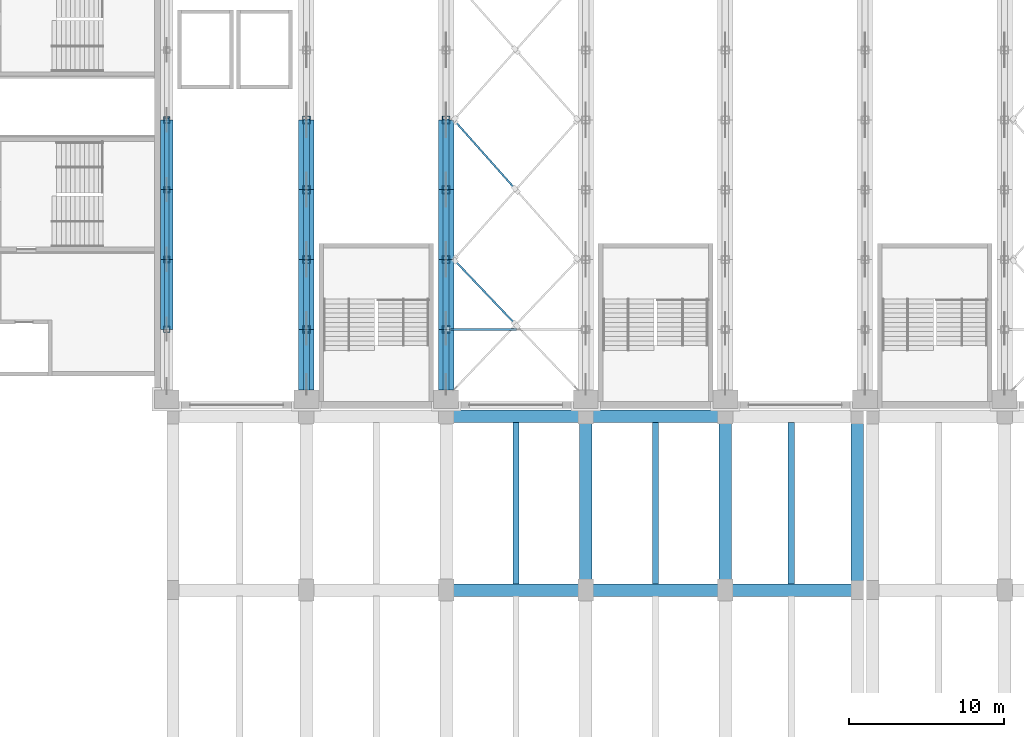
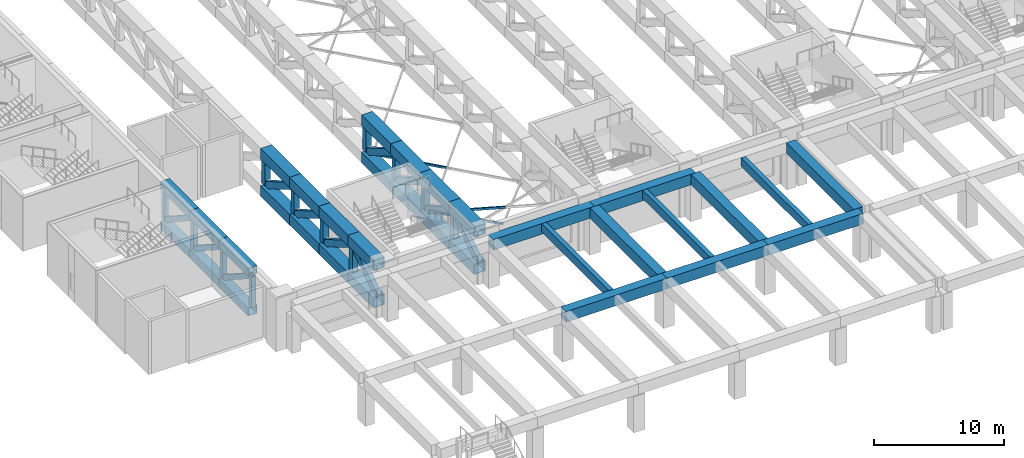
# One storey, part 8 of 76: 48 members, 11 beams.
"""IFC4 building model written with IfcOpenShell, lengths in metres."""

from ifc_helpers import new_model, si_unit, direction, frame, origin, origin_2d, place, context, subcontext, project, spatial, rectangle, hollow_rectangle, extrude, material, material_profile, profile_set, type_object, element, save


model = new_model("IFC4")

# Units and contexts
model_context = context("Model", 3, precision=1e-05, world=origin(), true_north=direction((0.0, 1.0)))
body_context = subcontext(model_context, "Body", "Model", "MODEL_VIEW")
ifc_project = project(units=[si_unit("LENGTHUNIT", "METRE"), si_unit("AREAUNIT", "SQUARE_METRE"), si_unit("VOLUMEUNIT", "CUBIC_METRE"), si_unit("PLANEANGLEUNIT", "RADIAN"), si_unit("MASSUNIT", "GRAM", prefix="KILO")], contexts=[model_context])

# Site, building, storey
site_placement = place(None, origin())
site = spatial("IfcSite", under=ifc_project, at=site_placement, CompositionType="ELEMENT")
building_placement = place(site_placement, origin())
building = spatial("IfcBuilding", under=site, at=building_placement, Name="Aravalli Gate Trade Fair Centre", CompositionType="ELEMENT")
storey_placement = place(building_placement, frame((0.0, 0.0, 10.0)))
storey = spatial("IfcBuildingStorey", under=building, at=storey_placement, Name="L02", CompositionType="ELEMENT", Elevation=10.0)

# Members
ifc_material_1 = material(Name="Steel E350", Category="steel")
ifc_material_profile_1 = material_profile(ifc_material_1, hollow_rectangle(XDim=0.1201171875, YDim=0.199951171875, WallThickness=0.008056640625, at=origin_2d()), Name="RHS 200x120x8")
ifc_profile_set_1 = profile_set([ifc_material_profile_1], Name="Steel E350")
member_type_1 = type_object("IfcMemberType", Name="Cross frame brace RHS 200x120x8", PredefinedType="BRACE", material=ifc_profile_set_1)
member_1_placement = place(storey_placement, frame((24.5, 55.0, 0.5), z_axis=(0.689659376744, -0.724133926887, 0.0), x_axis=(0.724133926887, 0.689659376744, 0.0)))
element("IfcMember", 1, at=member_1_placement, inside=storey, type_object=member_type_1, Name="FT plan brace bay 3 cell 1B half 1", PredefinedType="BRACE", context=body_context, shape_type="SweptSolid", body=[
    extrude(hollow_rectangle(XDim=0.1201171875, YDim=0.199951171875, WallThickness=0.008056640625, at=origin_2d()), origin(), (0.0, 0.0, 1.0), 5.800048828125),
])
member_2_placement = place(storey_placement, frame((24.5, 64.0, 0.5), z_axis=(0.66436383883, -0.747409318684, 0.0), x_axis=(0.747409318684, 0.66436383883, 0.0)))
element("IfcMember", 2, at=member_2_placement, inside=storey, type_object=member_type_1, Name="FT plan brace bay 3 cell 2B half 1", PredefinedType="BRACE", context=body_context, shape_type="SweptSolid", body=[
    extrude(hollow_rectangle(XDim=0.1201171875, YDim=0.199951171875, WallThickness=0.008056640625, at=origin_2d()), origin(), (0.0, 0.0, 1.0), 6.020751953125),
])
member_3_placement = place(storey_placement, frame((24.0, 50.5, 3.5), z_axis=(0.96351790963, 0.0, -0.267643863786), x_axis=(0.0, 1.0, 0.0)))
element("IfcMember", 3, at=member_3_placement, inside=storey, type_object=member_type_1, Name="FT vertical brace bay 3 frame 1B half 1", PredefinedType="BRACE", context=body_context, shape_type="SweptSolid", body=[
    extrude(hollow_rectangle(XDim=0.1201171875, YDim=0.199951171875, WallThickness=0.008056640625, at=origin_2d()), origin(), (0.0, 0.0, 1.0), 4.67041015625),
])

# Beams
ifc_material_2 = material(Name="Concrete M45", Category="concrete")
ifc_material_profile_2 = material_profile(ifc_material_2, rectangle(XDim=0.800048828125, YDim=1.0, at=origin_2d()), Name="Deck girder RC 800 x 1000")
ifc_profile_set_2 = profile_set([ifc_material_profile_2], Name="Concrete M45")
beam_type_1 = type_object("IfcBeamType", Name="Deck girder RC 800 x 1000", PredefinedType="BEAM", material=ifc_profile_set_2)
for number, where, z_axis, x_axis, name in (
    (4, (24.0, 33.699951171875, 3.89990234375), (1.0, 0.0, 0.0), (0.0, 1.0, 0.0), "Beam SB3-008"),
    (5, (33.0, 33.699951171875, 3.89990234375), (1.0, 0.0, 0.0), (0.0, 1.0, 0.0), "Beam SB3-009"),
):
    element("IfcBeam", number, at=place(storey_placement, frame(where, z_axis=z_axis, x_axis=x_axis)), inside=storey, type_object=beam_type_1, Name=name, PredefinedType="BEAM", context=body_context, shape_type="SweptSolid", body=[
        extrude(rectangle(XDim=0.800048828125, YDim=1.0, at=origin_2d()), origin(), (0.0, 0.0, 1.0), 9.0),
    ])
beam_placement = place(storey_placement, frame((42.0, 33.699951171875, 3.89990234375), z_axis=(1.0, 0.0, 0.0), x_axis=(0.0, 1.0, 0.0)))
element("IfcBeam", 6, at=beam_placement, inside=storey, type_object=beam_type_1, Name="Beam SB3-010", PredefinedType="BEAM", context=body_context, shape_type="SweptSolid", body=[
    extrude(rectangle(XDim=0.800048828125, YDim=1.0, at=origin_2d()), origin(), (0.0, 0.0, 1.0), 8.5),
])
for number, where, z_axis, x_axis, name in (
    (7, (24.0, 44.89990234375, 3.89990234375), (1.0, 0.0, 0.0), (0.0, 1.0, 0.0), "Beam SB3-013"),
    (8, (33.0, 44.89990234375, 3.89990234375), (1.0, 0.0, 0.0), (0.0, 1.0, 0.0), "Beam SB3-014"),
):
    element("IfcBeam", number, at=place(storey_placement, frame(where, z_axis=z_axis, x_axis=x_axis)), inside=storey, type_object=beam_type_1, Name=name, PredefinedType="BEAM", context=body_context, shape_type="SweptSolid", body=[
        extrude(rectangle(XDim=0.800048828125, YDim=1.0, at=origin_2d()), origin(), (0.0, 0.0, 1.0), 9.0),
    ])
for number, where, z_axis, x_axis, name in (
    (9, (33.0, 34.10009765625, 3.89990234375), (0.0, 1.0, 0.0), (-1.0, 0.0, 0.0), "Beam SB3-023"),
    (10, (42.0, 34.10009765625, 3.89990234375), (0.0, 1.0, 0.0), (-1.0, 0.0, 0.0), "Beam SB3-025"),
    (11, (50.5, 34.10009765625, 3.89990234375), (0.0, 1.0, 0.0), (-1.0, 0.0, 0.0), "Beam SB3-027"),
):
    element("IfcBeam", number, at=place(storey_placement, frame(where, z_axis=z_axis, x_axis=x_axis)), inside=storey, type_object=beam_type_1, Name=name, PredefinedType="BEAM", context=body_context, shape_type="SweptSolid", body=[
        extrude(rectangle(XDim=0.800048828125, YDim=1.0, at=origin_2d()), origin(), (0.0, 0.0, 1.0), 10.39990234375),
    ])
ifc_material_profile_3 = material_profile(ifc_material_2, rectangle(XDim=0.39990234375, YDim=0.800048828125, at=origin_2d()), Name="Deck secondary beam RC 400 x 800")
ifc_profile_set_3 = profile_set([ifc_material_profile_3], Name="Concrete M45")
beam_type_2 = type_object("IfcBeamType", Name="Deck secondary beam RC 400 x 800", PredefinedType="BEAM", material=ifc_profile_set_3)
for number, where, z_axis, x_axis, name in (
    (12, (28.5, 34.10009765625, 4.0), (0.0, 1.0, 0.0), (-1.0, 0.0, 0.0), "Beam SB4-006"),
    (13, (37.5, 34.10009765625, 4.0), (0.0, 1.0, 0.0), (-1.0, 0.0, 0.0), "Beam SB4-008"),
    (14, (46.25, 34.10009765625, 4.0), (0.0, 1.0, 0.0), (-1.0, 0.0, 0.0), "Beam SB4-010"),
):
    element("IfcBeam", number, at=place(storey_placement, frame(where, z_axis=z_axis, x_axis=x_axis)), inside=storey, type_object=beam_type_2, Name=name, PredefinedType="BEAM", context=body_context, shape_type="SweptSolid", body=[
        extrude(rectangle(XDim=0.39990234375, YDim=0.800048828125, at=origin_2d()), origin(), (0.0, 0.0, 1.0), 10.39990234375),
    ])

# Members
ifc_material_profile_4 = material_profile(ifc_material_1, hollow_rectangle(XDim=1.0, YDim=1.0, WallThickness=0.050048828125, at=origin_2d()), Name="BOX 1000x1000x50")
ifc_profile_set_4 = profile_set([ifc_material_profile_4], Name="Steel E350")
member_type_2 = type_object("IfcMemberType", Name="FT1 chord BOX 1000x1000x50", PredefinedType="CHORD", material=ifc_profile_set_4)
for number, where, z_axis, x_axis, name in (
    (15, (15.0, 46.60009765625, 0.5), (0.0, 1.0, 0.0), (-1.0, 0.0, 0.0), "FT1 line 2 bottom chord 1"),
    (16, (15.0, 46.60009765625, 4.0), (0.0, 1.0, 0.0), (-1.0, 0.0, 0.0), "FT1 line 2 top chord 1"),
):
    element("IfcMember", number, at=place(storey_placement, frame(where, z_axis=z_axis, x_axis=x_axis)), inside=storey, type_object=member_type_2, Name=name, PredefinedType="CHORD", context=body_context, shape_type="SweptSolid", body=[
        extrude(hollow_rectangle(XDim=1.0, YDim=1.0, WallThickness=0.050048828125, at=origin_2d()), origin(), (0.0, 0.0, 1.0), 3.89990234375),
    ])
for number, where, z_axis, x_axis, name in (
    (17, (15.0, 50.5, 0.5), (0.0, 1.0, 0.0), (-1.0, 0.0, 0.0), "FT1 line 2 bottom chord 2"),
    (18, (15.0, 50.5, 4.0), (0.0, 1.0, 0.0), (-1.0, 0.0, 0.0), "FT1 line 2 top chord 2"),
    (19, (15.0, 55.0, 0.5), (0.0, 1.0, 0.0), (-1.0, 0.0, 0.0), "FT1 line 2 bottom chord 3"),
    (20, (15.0, 55.0, 4.0), (0.0, 1.0, 0.0), (-1.0, 0.0, 0.0), "FT1 line 2 top chord 3"),
    (21, (15.0, 59.5, 0.5), (0.0, 1.0, 0.0), (-1.0, 0.0, 0.0), "FT1 line 2 bottom chord 4"),
    (22, (15.0, 59.5, 4.0), (0.0, 1.0, 0.0), (-1.0, 0.0, 0.0), "FT1 line 2 top chord 4"),
):
    element("IfcMember", number, at=place(storey_placement, frame(where, z_axis=z_axis, x_axis=x_axis)), inside=storey, type_object=member_type_2, Name=name, PredefinedType="CHORD", context=body_context, shape_type="SweptSolid", body=[
        extrude(hollow_rectangle(XDim=1.0, YDim=1.0, WallThickness=0.050048828125, at=origin_2d()), origin(), (0.0, 0.0, 1.0), 4.5),
    ])
for number, where, z_axis, x_axis, name in (
    (23, (24.0, 46.60009765625, 0.5), (0.0, 1.0, 0.0), (-1.0, 0.0, 0.0), "FT1 line 3 bottom chord 1"),
    (24, (24.0, 46.60009765625, 4.0), (0.0, 1.0, 0.0), (-1.0, 0.0, 0.0), "FT1 line 3 top chord 1"),
):
    element("IfcMember", number, at=place(storey_placement, frame(where, z_axis=z_axis, x_axis=x_axis)), inside=storey, type_object=member_type_2, Name=name, PredefinedType="CHORD", context=body_context, shape_type="SweptSolid", body=[
        extrude(hollow_rectangle(XDim=1.0, YDim=1.0, WallThickness=0.050048828125, at=origin_2d()), origin(), (0.0, 0.0, 1.0), 3.89990234375),
    ])
for number, where, z_axis, x_axis, name in (
    (25, (24.0, 50.5, 0.5), (0.0, 1.0, 0.0), (-1.0, 0.0, 0.0), "FT1 line 3 bottom chord 2"),
    (26, (24.0, 50.5, 4.0), (0.0, 1.0, 0.0), (-1.0, 0.0, 0.0), "FT1 line 3 top chord 2"),
    (27, (24.0, 55.0, 0.5), (0.0, 1.0, 0.0), (-1.0, 0.0, 0.0), "FT1 line 3 bottom chord 3"),
    (28, (24.0, 55.0, 4.0), (0.0, 1.0, 0.0), (-1.0, 0.0, 0.0), "FT1 line 3 top chord 3"),
    (29, (24.0, 59.5, 0.5), (0.0, 1.0, 0.0), (-1.0, 0.0, 0.0), "FT1 line 3 bottom chord 4"),
    (30, (24.0, 59.5, 4.0), (0.0, 1.0, 0.0), (-1.0, 0.0, 0.0), "FT1 line 3 top chord 4"),
):
    element("IfcMember", number, at=place(storey_placement, frame(where, z_axis=z_axis, x_axis=x_axis)), inside=storey, type_object=member_type_2, Name=name, PredefinedType="CHORD", context=body_context, shape_type="SweptSolid", body=[
        extrude(hollow_rectangle(XDim=1.0, YDim=1.0, WallThickness=0.050048828125, at=origin_2d()), origin(), (0.0, 0.0, 1.0), 4.5),
    ])
ifc_material_profile_5 = material_profile(ifc_material_1, hollow_rectangle(XDim=0.39990234375, YDim=0.60009765625, WallThickness=0.030029296875, at=origin_2d()), Name="RHS 600x400x30")
ifc_profile_set_5 = profile_set([ifc_material_profile_5], Name="Steel E350")
member_type_3 = type_object("IfcMemberType", Name="FT1 diagonal RHS 600x400x30", PredefinedType="BRACE", material=ifc_profile_set_5)
member_4_placement = place(storey_placement, frame((15.0, 46.60009765625, 1.0), z_axis=(0.0, 0.841872999265, 0.53967569253), x_axis=(-1.0, 0.0, 0.0)))
element("IfcMember", 31, at=member_4_placement, inside=storey, type_object=member_type_3, Name="FT1 line 2 diagonal 1", PredefinedType="BRACE", context=body_context, shape_type="SweptSolid", body=[
    extrude(hollow_rectangle(XDim=0.39990234375, YDim=0.60009765625, WallThickness=0.030029296875, at=origin_2d()), origin(), (0.0, 0.0, 1.0), 4.63232421875),
])
for number, where, z_axis, x_axis, name in (
    (32, (15.0, 50.60498046875, 3.5), (0.0, 0.863999951417, -0.503491890651), (-1.0, 0.0, 0.0), "FT1 line 2 diagonal 2"),
    (33, (15.0, 55.10498046875, 3.5), (0.0, 0.863999951417, -0.503491890651), (-1.0, 0.0, 0.0), "FT1 line 2 diagonal 3"),
    (34, (15.0, 59.60498046875, 3.5), (0.0, 0.863999951417, -0.503491890651), (-1.0, 0.0, 0.0), "FT1 line 2 diagonal 4"),
):
    element("IfcMember", number, at=place(storey_placement, frame(where, z_axis=z_axis, x_axis=x_axis)), inside=storey, type_object=member_type_3, Name=name, PredefinedType="BRACE", context=body_context, shape_type="SweptSolid", body=[
        extrude(hollow_rectangle(XDim=0.39990234375, YDim=0.60009765625, WallThickness=0.030029296875, at=origin_2d()), origin(), (0.0, 0.0, 1.0), 4.96533203125),
    ])
member_5_placement = place(storey_placement, frame((24.0, 46.60009765625, 1.0), z_axis=(0.0, 0.841872999265, 0.53967569253), x_axis=(-1.0, 0.0, 0.0)))
element("IfcMember", 35, at=member_5_placement, inside=storey, type_object=member_type_3, Name="FT1 line 3 diagonal 1", PredefinedType="BRACE", context=body_context, shape_type="SweptSolid", body=[
    extrude(hollow_rectangle(XDim=0.39990234375, YDim=0.60009765625, WallThickness=0.030029296875, at=origin_2d()), origin(), (0.0, 0.0, 1.0), 4.63232421875),
])
for number, where, z_axis, x_axis, name in (
    (36, (24.0, 50.60498046875, 3.5), (0.0, 0.863999951417, -0.503491890651), (-1.0, 0.0, 0.0), "FT1 line 3 diagonal 2"),
    (37, (24.0, 55.10498046875, 3.5), (0.0, 0.863999951417, -0.503491890651), (-1.0, 0.0, 0.0), "FT1 line 3 diagonal 3"),
    (38, (24.0, 59.60498046875, 3.5), (0.0, 0.863999951417, -0.503491890651), (-1.0, 0.0, 0.0), "FT1 line 3 diagonal 4"),
):
    element("IfcMember", number, at=place(storey_placement, frame(where, z_axis=z_axis, x_axis=x_axis)), inside=storey, type_object=member_type_3, Name=name, PredefinedType="BRACE", context=body_context, shape_type="SweptSolid", body=[
        extrude(hollow_rectangle(XDim=0.39990234375, YDim=0.60009765625, WallThickness=0.030029296875, at=origin_2d()), origin(), (0.0, 0.0, 1.0), 4.96533203125),
    ])
ifc_material_profile_6 = material_profile(ifc_material_1, hollow_rectangle(XDim=0.5, YDim=0.5, WallThickness=0.02490234375, at=origin_2d()), Name="BOX 500x500x25")
ifc_profile_set_6 = profile_set([ifc_material_profile_6], Name="Steel E350")
member_type_4 = type_object("IfcMemberType", Name="FT1 post BOX 500x500x25", PredefinedType="POST", material=ifc_profile_set_6)
for number, where, z_axis, x_axis, name in (
    (39, (15.0, 50.5, 1.0), (0.0, 0.0, 1.0), (1.0, 0.0, 0.0), "FT1 line 2 post 1"),
    (40, (15.0, 55.0, 1.0), (0.0, 0.0, 1.0), (1.0, 0.0, 0.0), "FT1 line 2 post 2"),
    (41, (15.0, 59.5, 1.0), (0.0, 0.0, 1.0), (1.0, 0.0, 0.0), "FT1 line 2 post 3"),
    (42, (15.0, 64.0, 1.0), (0.0, 0.0, 1.0), (1.0, 0.0, 0.0), "FT1 line 2 post 4"),
    (43, (24.0, 50.5, 1.0), (0.0, 0.0, 1.0), (1.0, 0.0, 0.0), "FT1 line 3 post 1"),
    (44, (24.0, 55.0, 1.0), (0.0, 0.0, 1.0), (1.0, 0.0, 0.0), "FT1 line 3 post 2"),
    (45, (24.0, 59.5, 1.0), (0.0, 0.0, 1.0), (1.0, 0.0, 0.0), "FT1 line 3 post 3"),
    (46, (24.0, 64.0, 1.0), (0.0, 0.0, 1.0), (1.0, 0.0, 0.0), "FT1 line 3 post 4"),
):
    element("IfcMember", number, at=place(storey_placement, frame(where, z_axis=z_axis, x_axis=x_axis)), inside=storey, type_object=member_type_4, Name=name, PredefinedType="POST", context=body_context, shape_type="SweptSolid", body=[
        extrude(hollow_rectangle(XDim=0.5, YDim=0.5, WallThickness=0.02490234375, at=origin_2d()), origin(), (0.0, 0.0, 1.0), 2.5),
    ])
ifc_material_profile_7 = material_profile(ifc_material_1, hollow_rectangle(XDim=0.800048828125, YDim=0.800048828125, WallThickness=0.0400390625, at=origin_2d()), Name="BOX 800x800x40")
ifc_profile_set_7 = profile_set([ifc_material_profile_7], Name="Steel E350")
member_type_5 = type_object("IfcMemberType", Name="FT2 chord BOX 800x800x40", PredefinedType="CHORD", material=ifc_profile_set_7)
for number, where, z_axis, x_axis, name in (
    (47, (6.0, 50.5, 0.39990234375), (0.0, 1.0, 0.0), (-1.0, 0.0, 0.0), "FT2 line 1 bottom chord 2"),
    (48, (6.0, 50.5, 4.10009765625), (0.0, 1.0, 0.0), (-1.0, 0.0, 0.0), "FT2 line 1 top chord 2"),
    (49, (6.0, 55.0, 0.39990234375), (0.0, 1.0, 0.0), (-1.0, 0.0, 0.0), "FT2 line 1 bottom chord 3"),
    (50, (6.0, 55.0, 4.10009765625), (0.0, 1.0, 0.0), (-1.0, 0.0, 0.0), "FT2 line 1 top chord 3"),
    (51, (6.0, 59.5, 0.39990234375), (0.0, 1.0, 0.0), (-1.0, 0.0, 0.0), "FT2 line 1 bottom chord 4"),
    (52, (6.0, 59.5, 4.10009765625), (0.0, 1.0, 0.0), (-1.0, 0.0, 0.0), "FT2 line 1 top chord 4"),
):
    element("IfcMember", number, at=place(storey_placement, frame(where, z_axis=z_axis, x_axis=x_axis)), inside=storey, type_object=member_type_5, Name=name, PredefinedType="CHORD", context=body_context, shape_type="SweptSolid", body=[
        extrude(hollow_rectangle(XDim=0.800048828125, YDim=0.800048828125, WallThickness=0.0400390625, at=origin_2d()), origin(), (0.0, 0.0, 1.0), 4.5),
    ])
ifc_material_profile_8 = material_profile(ifc_material_1, hollow_rectangle(XDim=0.300048828125, YDim=0.449951171875, WallThickness=0.02001953125, at=origin_2d()), Name="RHS 450x300x20")
ifc_profile_set_8 = profile_set([ifc_material_profile_8], Name="Steel E350")
member_type_6 = type_object("IfcMemberType", Name="FT2 diagonal RHS 450x300x20", PredefinedType="BRACE", material=ifc_profile_set_8)
for number, where, z_axis, x_axis, name in (
    (53, (6.0, 50.5, 3.699951171875), (0.0, 0.84057934116, -0.541688444786), (-1.0, 0.0, 0.0), "FT2 line 1 diagonal 2"),
    (54, (6.0, 55.0, 3.699951171875), (0.0, 0.84057934116, -0.541688444786), (-1.0, 0.0, 0.0), "FT2 line 1 diagonal 3"),
    (55, (6.0, 59.5, 3.699951171875), (0.0, 0.84057934116, -0.541688444786), (-1.0, 0.0, 0.0), "FT2 line 1 diagonal 4"),
):
    element("IfcMember", number, at=place(storey_placement, frame(where, z_axis=z_axis, x_axis=x_axis)), inside=storey, type_object=member_type_6, Name=name, PredefinedType="BRACE", context=body_context, shape_type="SweptSolid", body=[
        extrude(hollow_rectangle(XDim=0.300048828125, YDim=0.449951171875, WallThickness=0.02001953125, at=origin_2d()), origin(), (0.0, 0.0, 1.0), 5.353515625),
    ])
ifc_material_profile_9 = material_profile(ifc_material_1, hollow_rectangle(XDim=0.39990234375, YDim=0.39990234375, WallThickness=0.02001953125, at=origin_2d()), Name="BOX 400x400x20")
ifc_profile_set_9 = profile_set([ifc_material_profile_9], Name="Steel E350")
member_type_7 = type_object("IfcMemberType", Name="FT2 post BOX 400x400x20", PredefinedType="POST", material=ifc_profile_set_9)
for number, where, z_axis, x_axis, name in (
    (56, (6.0, 50.5, 0.800048828125), (0.0, 0.0, 1.0), (1.0, 0.0, 0.0), "FT2 line 1 post 1"),
    (57, (6.0, 55.0, 0.800048828125), (0.0, 0.0, 1.0), (1.0, 0.0, 0.0), "FT2 line 1 post 2"),
    (58, (6.0, 59.5, 0.800048828125), (0.0, 0.0, 1.0), (1.0, 0.0, 0.0), "FT2 line 1 post 3"),
    (59, (6.0, 64.0, 0.800048828125), (0.0, 0.0, 1.0), (1.0, 0.0, 0.0), "FT2 line 1 post 4"),
):
    element("IfcMember", number, at=place(storey_placement, frame(where, z_axis=z_axis, x_axis=x_axis)), inside=storey, type_object=member_type_7, Name=name, PredefinedType="POST", context=body_context, shape_type="SweptSolid", body=[
        extrude(hollow_rectangle(XDim=0.39990234375, YDim=0.39990234375, WallThickness=0.02001953125, at=origin_2d()), origin(), (0.0, 0.0, 1.0), 2.89990234375),
    ])

save(model, "model.ifc")
